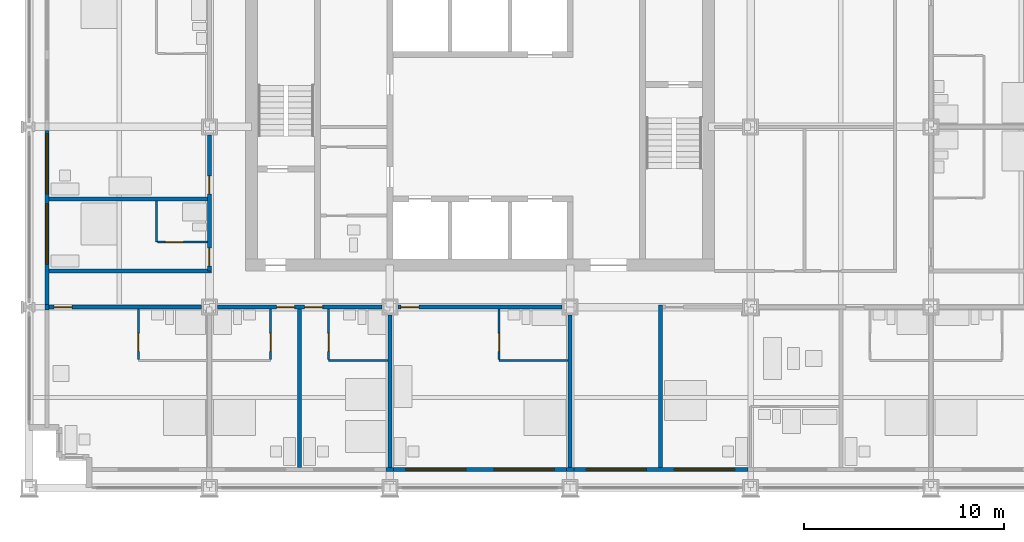
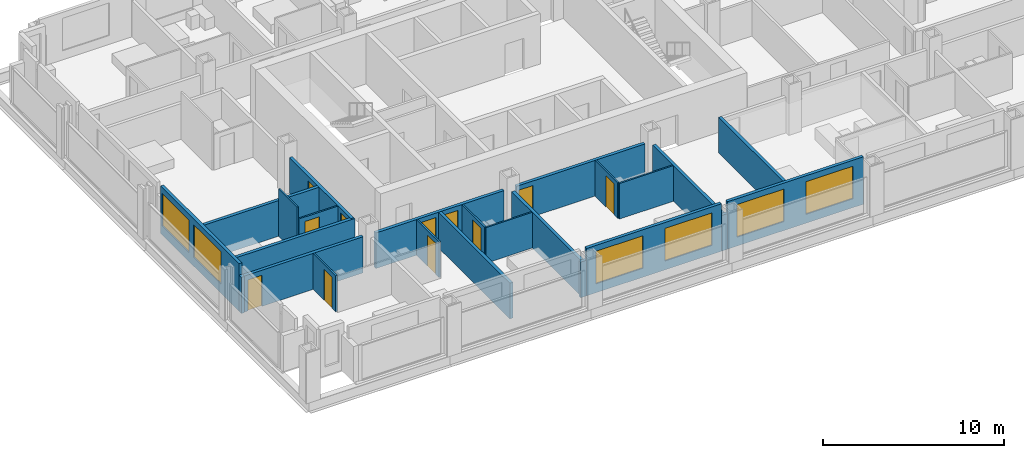
# One storey, part 10 of 18: 24 walls, 11 doors, 6 windows, 17 openings.
"""IFC4 building model written with IfcOpenShell, lengths in metres."""

from ifc_helpers import new_model, si_unit, direction, frame, frame_2d, origin, place, context, subcontext, project, spatial, rectangle, extrude, material, layer, layer_set, type_object, element, fill, save


model = new_model("IFC4")

# Units and contexts
model_context = context("Model", 3, precision=1e-05, world=origin(), true_north=direction((0.0, 1.0)))
body_context = subcontext(model_context, "Body", "Model", "MODEL_VIEW")
ifc_project = project(units=[si_unit("LENGTHUNIT", "METRE"), si_unit("AREAUNIT", "SQUARE_METRE"), si_unit("VOLUMEUNIT", "CUBIC_METRE"), si_unit("PLANEANGLEUNIT", "RADIAN"), si_unit("MASSUNIT", "GRAM", prefix="KILO")], contexts=[model_context])

# Site, building, storey
site_placement = place(None, origin())
site = spatial("IfcSite", under=ifc_project, at=site_placement, CompositionType="ELEMENT")
building_placement = place(site_placement, origin())
building = spatial("IfcBuilding", under=site, at=building_placement, Name="Loomwork Tower", CompositionType="ELEMENT")
storey_placement = place(building_placement, frame((0.0, 0.0, 34.800048828125)))
storey = spatial("IfcBuildingStorey", under=building, at=storey_placement, Name="L07", CompositionType="ELEMENT", Elevation=34.800048828125)

# Wall, opening, door
ifc_material_1 = material(Name="Gypsum board on steel studs, one-hour", Category="steel")
ifc_layer_1 = layer(ifc_material_1, 0.199951171875)
ifc_layer_set_1 = layer_set([ifc_layer_1], Name="Corridor wall 200")
wall_type_1 = type_object("IfcWallType", Name="Corridor wall 200", PredefinedType="PARTITIONING", material=ifc_layer_set_1)
wall_1_placement = place(storey_placement, frame((1.0, 9.0, 0.0), z_axis=(0.0, 0.0, 1.0), x_axis=(1.0, 0.0, 0.0)))
wall_1 = element("IfcWall", 1, at=wall_1_placement, inside=storey, type_object=wall_type_1, Name="South corridor wall 1", PredefinedType="PARTITIONING", context=body_context, shape_type="SweptSolid", body=[
    extrude(rectangle(XDim=7.60009765625, YDim=0.199951171875, at=frame_2d((3.800048828125, 0.0))), origin(), (0.0, 0.0, 1.0), 2.43798828125),
])
opening_1_placement = place(wall_1_placement, frame((0.25, 0.0, 0.0)))
opening_1 = element("IfcOpeningElement", 2, at=opening_1_placement, cuts=wall_1, Name="Opening D1", PredefinedType="OPENING", context=body_context, shape_type="SweptSolid", body=[
    extrude(rectangle(XDim=0.89990234375, YDim=2.10009765625, at=frame_2d((0.449951171875, 1.050048828125))), frame((0.0, 0.10986328125, 0.0), z_axis=(0.0, -1.0, 0.0), x_axis=(1.0, 0.0, 0.0)), (0.0, 0.0, 1.0), 0.219970703125),
])
ifc_material_2 = material(Name="Hollow metal door and frame")
door_type_1 = type_object("IfcDoorType", Name="Guest room entry door 900", OperationType="SINGLE_SWING_LEFT", PredefinedType="DOOR", material=ifc_material_2)
door_1_placement = place(opening_1_placement, frame((0.89990234375, 0.0, 0.0), z_axis=(0.0, 0.0, 1.0), x_axis=(-1.0, 0.0, 0.0)))
door_1 = element("IfcDoor", 3, at=door_1_placement, inside=storey, type_object=door_type_1, Name="Guest room entry door L07 1", OperationType="SINGLE_SWING_RIGHT", OverallHeight=2.10009765625, OverallWidth=0.89990234375, PredefinedType="DOOR", context=body_context, shape_type="SweptSolid", body=[
    extrude(rectangle(XDim=0.89990234375, YDim=2.10009765625, at=frame_2d((0.449951171875, 1.050048828125))), frame((0.0, 0.02490234375, 0.0), z_axis=(0.0, -1.0, 0.0), x_axis=(1.0, 0.0, 0.0)), (0.0, 0.0, 1.0), 0.050048828125),
])
fill(opening_1, door_1)

# Wall, openings, doors
wall_2_placement = place(storey_placement, frame((9.39990234375, 9.0, 0.0), z_axis=(0.0, 0.0, 1.0), x_axis=(1.0, 0.0, 0.0)))
wall_2 = element("IfcWall", 4, at=wall_2_placement, inside=storey, type_object=wall_type_1, Name="South corridor wall 2", PredefinedType="PARTITIONING", context=body_context, shape_type="SweptSolid", body=[
    extrude(rectangle(XDim=8.2001953125, YDim=0.199951171875, at=frame_2d((4.10009765625, 0.0))), origin(), (0.0, 0.0, 1.0), 2.405029296875),
])
opening_2_placement = place(wall_2_placement, frame((2.949951171875, 0.0, 0.0)))
opening_2 = element("IfcOpeningElement", 5, at=opening_2_placement, cuts=wall_2, Name="Opening D1", PredefinedType="OPENING", context=body_context, shape_type="SweptSolid", body=[
    extrude(rectangle(XDim=0.89990234375, YDim=2.10009765625, at=frame_2d((0.449951171875, 1.050048828125))), frame((0.0, 0.10986328125, 0.0), z_axis=(0.0, -1.0, 0.0), x_axis=(1.0, 0.0, 0.0)), (0.0, 0.0, 1.0), 0.219970703125),
])
opening_3_placement = place(wall_2_placement, frame((4.35009765625, 0.0, 0.0)))
opening_3 = element("IfcOpeningElement", 6, at=opening_3_placement, cuts=wall_2, Name="Opening D1", PredefinedType="OPENING", context=body_context, shape_type="SweptSolid", body=[
    extrude(rectangle(XDim=0.89990234375, YDim=2.10009765625, at=frame_2d((0.449951171875, 1.050048828125))), frame((0.0, 0.10986328125, 0.0), z_axis=(0.0, -1.0, 0.0), x_axis=(1.0, 0.0, 0.0)), (0.0, 0.0, 1.0), 0.219970703125),
])
door_2_placement = place(opening_2_placement, frame((0.89990234375, 0.0, 0.0), z_axis=(0.0, 0.0, 1.0), x_axis=(-1.0, 0.0, 0.0)))
door_2 = element("IfcDoor", 7, at=door_2_placement, inside=storey, type_object=door_type_1, Name="Guest room entry door L07 2", OperationType="SINGLE_SWING_LEFT", OverallHeight=2.10009765625, OverallWidth=0.89990234375, PredefinedType="DOOR", context=body_context, shape_type="SweptSolid", body=[
    extrude(rectangle(XDim=0.89990234375, YDim=2.10009765625, at=frame_2d((0.449951171875, 1.050048828125))), frame((0.0, 0.02490234375, 0.0), z_axis=(0.0, -1.0, 0.0), x_axis=(1.0, 0.0, 0.0)), (0.0, 0.0, 1.0), 0.050048828125),
])
fill(opening_2, door_2)
door_3_placement = place(opening_3_placement, frame((0.89990234375, 0.0, 0.0), z_axis=(0.0, 0.0, 1.0), x_axis=(-1.0, 0.0, 0.0)))
door_3 = element("IfcDoor", 8, at=door_3_placement, inside=storey, type_object=door_type_1, Name="Guest room entry door L07 3", OperationType="SINGLE_SWING_RIGHT", OverallHeight=2.10009765625, OverallWidth=0.89990234375, PredefinedType="DOOR", context=body_context, shape_type="SweptSolid", body=[
    extrude(rectangle(XDim=0.89990234375, YDim=2.10009765625, at=frame_2d((0.449951171875, 1.050048828125))), frame((0.0, 0.02490234375, 0.0), z_axis=(0.0, -1.0, 0.0), x_axis=(1.0, 0.0, 0.0)), (0.0, 0.0, 1.0), 0.050048828125),
])
fill(opening_3, door_3)

# Wall, opening, door
wall_3_placement = place(storey_placement, frame((18.39990234375, 9.0, 0.0), z_axis=(0.0, 0.0, 1.0), x_axis=(1.0, 0.0, 0.0)))
wall_3 = element("IfcWall", 9, at=wall_3_placement, inside=storey, type_object=wall_type_1, Name="South corridor wall 3", PredefinedType="PARTITIONING", context=body_context, shape_type="SweptSolid", body=[
    extrude(rectangle(XDim=8.2001953125, YDim=0.199951171875, at=frame_2d((4.10009765625, 0.0))), origin(), (0.0, 0.0, 1.0), 2.405029296875),
])
opening_4_placement = place(wall_3_placement, frame((0.14990234375, 0.0, 0.0)))
opening_4 = element("IfcOpeningElement", 10, at=opening_4_placement, cuts=wall_3, Name="Opening D1", PredefinedType="OPENING", context=body_context, shape_type="SweptSolid", body=[
    extrude(rectangle(XDim=0.89990234375, YDim=2.10009765625, at=frame_2d((0.449951171875, 1.050048828125))), frame((0.0, 0.10986328125, 0.0), z_axis=(0.0, -1.0, 0.0), x_axis=(1.0, 0.0, 0.0)), (0.0, 0.0, 1.0), 0.219970703125),
])
door_4_placement = place(opening_4_placement, frame((0.89990234375, 0.0, 0.0), z_axis=(0.0, 0.0, 1.0), x_axis=(-1.0, 0.0, 0.0)))
door_4 = element("IfcDoor", 11, at=door_4_placement, inside=storey, type_object=door_type_1, Name="Guest room entry door L07 4", OperationType="SINGLE_SWING_RIGHT", OverallHeight=2.10009765625, OverallWidth=0.89990234375, PredefinedType="DOOR", context=body_context, shape_type="SweptSolid", body=[
    extrude(rectangle(XDim=0.89990234375, YDim=2.10009765625, at=frame_2d((0.449951171875, 1.050048828125))), frame((0.0, 0.02490234375, 0.0), z_axis=(0.0, -1.0, 0.0), x_axis=(1.0, 0.0, 0.0)), (0.0, 0.0, 1.0), 0.050048828125),
])
fill(opening_4, door_4)

# Wall, openings, doors
wall_4_placement = place(storey_placement, frame((9.0, 10.800048828125, 0.0), z_axis=(0.0, 0.0, 1.0), x_axis=(0.0, 1.0, 0.0)))
wall_4 = element("IfcWall", 12, at=wall_4_placement, inside=storey, type_object=wall_type_1, Name="West corridor wall 1", PredefinedType="PARTITIONING", context=body_context, shape_type="SweptSolid", body=[
    extrude(rectangle(XDim=6.800048828125, YDim=0.199951171875, at=frame_2d((3.39990234375, 0.0))), origin(), (0.0, 0.0, 1.0), 2.405029296875),
])
opening_5_placement = place(wall_4_placement, frame((0.25, 0.0, 0.0)))
opening_5 = element("IfcOpeningElement", 13, at=opening_5_placement, cuts=wall_4, Name="Opening D1", PredefinedType="OPENING", context=body_context, shape_type="SweptSolid", body=[
    extrude(rectangle(XDim=0.89990234375, YDim=2.10009765625, at=frame_2d((0.449951171875, 1.050048828125))), frame((0.0, 0.10986328125, 0.0), z_axis=(0.0, -1.0, 0.0), x_axis=(1.0, 0.0, 0.0)), (0.0, 0.0, 1.0), 0.219970703125),
])
opening_6_placement = place(wall_4_placement, frame((3.85009765625, 0.0, 0.0)))
opening_6 = element("IfcOpeningElement", 14, at=opening_6_placement, cuts=wall_4, Name="Opening D1", PredefinedType="OPENING", context=body_context, shape_type="SweptSolid", body=[
    extrude(rectangle(XDim=0.89990234375, YDim=2.10009765625, at=frame_2d((0.449951171875, 1.050048828125))), frame((0.0, 0.10986328125, 0.0), z_axis=(0.0, -1.0, 0.0), x_axis=(1.0, 0.0, 0.0)), (0.0, 0.0, 1.0), 0.219970703125),
])
door_5_placement = place(opening_5_placement, origin())
door_5 = element("IfcDoor", 15, at=door_5_placement, inside=storey, type_object=door_type_1, Name="Guest room entry door L07 16", OperationType="SINGLE_SWING_LEFT", OverallHeight=2.10009765625, OverallWidth=0.89990234375, PredefinedType="DOOR", context=body_context, shape_type="SweptSolid", body=[
    extrude(rectangle(XDim=0.89990234375, YDim=2.10009765625, at=frame_2d((0.449951171875, 1.050048828125))), frame((0.0, 0.02490234375, 0.0), z_axis=(0.0, -1.0, 0.0), x_axis=(1.0, 0.0, 0.0)), (0.0, 0.0, 1.0), 0.050048828125),
])
fill(opening_5, door_5)
door_6_placement = place(opening_6_placement, origin())
door_6 = element("IfcDoor", 16, at=door_6_placement, inside=storey, type_object=door_type_1, Name="Guest room entry door L07 17", OperationType="SINGLE_SWING_LEFT", OverallHeight=2.10009765625, OverallWidth=0.89990234375, PredefinedType="DOOR", context=body_context, shape_type="SweptSolid", body=[
    extrude(rectangle(XDim=0.89990234375, YDim=2.10009765625, at=frame_2d((0.449951171875, 1.050048828125))), frame((0.0, 0.02490234375, 0.0), z_axis=(0.0, -1.0, 0.0), x_axis=(1.0, 0.0, 0.0)), (0.0, 0.0, 1.0), 0.050048828125),
])
fill(opening_6, door_6)

# Wall
wall_5_placement = place(storey_placement, frame((1.0, 10.800048828125, 0.0), z_axis=(0.0, 0.0, 1.0), x_axis=(1.0, 0.0, 0.0)))
element("IfcWall", 17, at=wall_5_placement, inside=storey, type_object=wall_type_1, Name="West band end wall S", PredefinedType="PARTITIONING", context=body_context, shape_type="SweptSolid", body=[
    extrude(rectangle(XDim=8.10009765625, YDim=0.199951171875, at=frame_2d((4.050048828125, 0.0))), origin(), (0.0, 0.0, 1.0), 2.404052734375),
])

# Wall, opening, door
ifc_material_3 = material(Name="Cement board on steel studs", Category="steel")
ifc_layer_2 = layer(ifc_material_3, 0.10009765625)
ifc_layer_set_2 = layer_set([ifc_layer_2], Name="En-suite partition 100")
wall_type_2 = type_object("IfcWallType", Name="En-suite partition 100", PredefinedType="PARTITIONING", material=ifc_layer_set_2)
wall_6_placement = place(storey_placement, frame((5.449951171875, 8.89990234375, 0.0), z_axis=(0.0, 0.0, 1.0), x_axis=(0.0, -1.0, 0.0)))
wall_6 = element("IfcWall", 18, at=wall_6_placement, inside=storey, type_object=wall_type_2, Name="En-suite side wall L07 room 1", PredefinedType="PARTITIONING", context=body_context, shape_type="SweptSolid", body=[
    extrude(rectangle(XDim=2.5, YDim=0.10009765625, at=frame_2d((1.25, 0.0))), origin(), (0.0, 0.0, 1.0), 2.43798828125),
])
opening_7_placement = place(wall_6_placement, frame((1.199951171875, 0.0, 0.0)))
opening_7 = element("IfcOpeningElement", 19, at=opening_7_placement, cuts=wall_6, Name="Opening D3", PredefinedType="OPENING", context=body_context, shape_type="SweptSolid", body=[
    extrude(rectangle(XDim=0.89990234375, YDim=2.10009765625, at=frame_2d((0.449951171875, 1.050048828125))), frame((0.0, 0.06005859375, 0.0), z_axis=(0.0, -1.0, 0.0), x_axis=(1.0, 0.0, 0.0)), (0.0, 0.0, 1.0), 0.1201171875),
])
ifc_material_4 = material(Name="Hollow metal door and frame")
door_type_2 = type_object("IfcDoorType", Name="Accessible en-suite door 900", OperationType="SLIDING_TO_LEFT", PredefinedType="DOOR", material=ifc_material_4)
door_7_placement = place(opening_7_placement, origin())
door_7 = element("IfcDoor", 20, at=door_7_placement, inside=storey, type_object=door_type_2, Name="Accessible en-suite door room 1", OperationType="SLIDING_TO_LEFT", OverallHeight=2.10009765625, OverallWidth=0.89990234375, PredefinedType="DOOR", context=body_context, shape_type="SweptSolid", body=[
    extrude(rectangle(XDim=0.89990234375, YDim=2.10009765625, at=frame_2d((0.449951171875, 1.050048828125))), frame((0.0, 0.02490234375, 0.0), z_axis=(0.0, -1.0, 0.0), x_axis=(1.0, 0.0, 0.0)), (0.0, 0.0, 1.0), 0.050048828125),
])
fill(opening_7, door_7)

wall_7_placement = place(storey_placement, frame((12.050048828125, 8.89990234375, 0.0), z_axis=(0.0, 0.0, 1.0), x_axis=(0.0, -1.0, 0.0)))
wall_7 = element("IfcWall", 21, at=wall_7_placement, inside=storey, type_object=wall_type_2, Name="En-suite side wall L07 room 2", PredefinedType="PARTITIONING", context=body_context, shape_type="SweptSolid", body=[
    extrude(rectangle(XDim=2.5, YDim=0.10009765625, at=frame_2d((1.25, 0.0))), origin(), (0.0, 0.0, 1.0), 2.404052734375),
])
opening_8_placement = place(wall_7_placement, frame((1.199951171875, 0.0, 0.0)))
opening_8 = element("IfcOpeningElement", 22, at=opening_8_placement, cuts=wall_7, Name="Opening D2", PredefinedType="OPENING", context=body_context, shape_type="SweptSolid", body=[
    extrude(rectangle(XDim=0.89990234375, YDim=2.10009765625, at=frame_2d((0.449951171875, 1.050048828125))), frame((0.0, 0.06005859375, 0.0), z_axis=(0.0, -1.0, 0.0), x_axis=(1.0, 0.0, 0.0)), (0.0, 0.0, 1.0), 0.1201171875),
])
ifc_material_5 = material(Name="Hollow metal door and frame")
door_type_3 = type_object("IfcDoorType", Name="En-suite door 900", OperationType="SINGLE_SWING_LEFT", PredefinedType="DOOR", material=ifc_material_5)
door_8_placement = place(opening_8_placement, frame((0.89990234375, 0.0, 0.0), z_axis=(0.0, 0.0, 1.0), x_axis=(-1.0, 0.0, 0.0)))
door_8 = element("IfcDoor", 23, at=door_8_placement, inside=storey, type_object=door_type_3, Name="En-suite door room 2", OperationType="SINGLE_SWING_LEFT", OverallHeight=2.10009765625, OverallWidth=0.89990234375, PredefinedType="DOOR", context=body_context, shape_type="SweptSolid", body=[
    extrude(rectangle(XDim=0.89990234375, YDim=2.10009765625, at=frame_2d((0.449951171875, 1.050048828125))), frame((0.0, 0.02490234375, 0.0), z_axis=(0.0, -1.0, 0.0), x_axis=(1.0, 0.0, 0.0)), (0.0, 0.0, 1.0), 0.050048828125),
])
fill(opening_8, door_8)

# Wall
wall_8_placement = place(storey_placement, frame((14.949951171875, 6.35009765625, 0.0), z_axis=(0.0, 0.0, 1.0), x_axis=(1.0, 0.0, 0.0)))
element("IfcWall", 24, at=wall_8_placement, inside=storey, type_object=wall_type_2, Name="En-suite wall L07 room 3", PredefinedType="PARTITIONING", context=body_context, shape_type="SweptSolid", body=[
    extrude(rectangle(XDim=2.949951171875, YDim=0.10009765625, at=frame_2d((1.47509765625, 0.0))), origin(), (0.0, 0.0, 1.0), 2.404052734375),
])

# Wall, opening, door
wall_9_placement = place(storey_placement, frame((14.949951171875, 8.89990234375, 0.0), z_axis=(0.0, 0.0, 1.0), x_axis=(0.0, -1.0, 0.0)))
wall_9 = element("IfcWall", 25, at=wall_9_placement, inside=storey, type_object=wall_type_2, Name="En-suite side wall L07 room 3", PredefinedType="PARTITIONING", context=body_context, shape_type="SweptSolid", body=[
    extrude(rectangle(XDim=2.5, YDim=0.10009765625, at=frame_2d((1.25, 0.0))), origin(), (0.0, 0.0, 1.0), 2.404052734375),
])
opening_9_placement = place(wall_9_placement, frame((1.199951171875, 0.0, 0.0)))
opening_9 = element("IfcOpeningElement", 26, at=opening_9_placement, cuts=wall_9, Name="Opening D2", PredefinedType="OPENING", context=body_context, shape_type="SweptSolid", body=[
    extrude(rectangle(XDim=0.89990234375, YDim=2.10009765625, at=frame_2d((0.449951171875, 1.050048828125))), frame((0.0, 0.06005859375, 0.0), z_axis=(0.0, -1.0, 0.0), x_axis=(1.0, 0.0, 0.0)), (0.0, 0.0, 1.0), 0.1201171875),
])
door_9_placement = place(opening_9_placement, origin())
door_9 = element("IfcDoor", 27, at=door_9_placement, inside=storey, type_object=door_type_3, Name="En-suite door room 3", OperationType="SINGLE_SWING_RIGHT", OverallHeight=2.10009765625, OverallWidth=0.89990234375, PredefinedType="DOOR", context=body_context, shape_type="SweptSolid", body=[
    extrude(rectangle(XDim=0.89990234375, YDim=2.10009765625, at=frame_2d((0.449951171875, 1.050048828125))), frame((0.0, 0.02490234375, 0.0), z_axis=(0.0, -1.0, 0.0), x_axis=(1.0, 0.0, 0.0)), (0.0, 0.0, 1.0), 0.050048828125),
])
fill(opening_9, door_9)

# Wall
wall_10_placement = place(storey_placement, frame((23.449951171875, 6.35009765625, 0.0), z_axis=(0.0, 0.0, 1.0), x_axis=(1.0, 0.0, 0.0)))
element("IfcWall", 28, at=wall_10_placement, inside=storey, type_object=wall_type_2, Name="En-suite wall L07 room 4", PredefinedType="PARTITIONING", context=body_context, shape_type="SweptSolid", body=[
    extrude(rectangle(XDim=3.449951171875, YDim=0.10009765625, at=frame_2d((1.72509765625, 0.0))), origin(), (0.0, 0.0, 1.0), 2.404052734375),
])

# Wall, opening, door
wall_11_placement = place(storey_placement, frame((23.449951171875, 8.89990234375, 0.0), z_axis=(0.0, 0.0, 1.0), x_axis=(0.0, -1.0, 0.0)))
wall_11 = element("IfcWall", 29, at=wall_11_placement, inside=storey, type_object=wall_type_2, Name="En-suite side wall L07 room 4", PredefinedType="PARTITIONING", context=body_context, shape_type="SweptSolid", body=[
    extrude(rectangle(XDim=2.5, YDim=0.10009765625, at=frame_2d((1.25, 0.0))), origin(), (0.0, 0.0, 1.0), 2.404052734375),
])
opening_10_placement = place(wall_11_placement, frame((1.199951171875, 0.0, 0.0)))
opening_10 = element("IfcOpeningElement", 30, at=opening_10_placement, cuts=wall_11, Name="Opening D2", PredefinedType="OPENING", context=body_context, shape_type="SweptSolid", body=[
    extrude(rectangle(XDim=0.89990234375, YDim=2.10009765625, at=frame_2d((0.449951171875, 1.050048828125))), frame((0.0, 0.06005859375, 0.0), z_axis=(0.0, -1.0, 0.0), x_axis=(1.0, 0.0, 0.0)), (0.0, 0.0, 1.0), 0.1201171875),
])
door_10_placement = place(opening_10_placement, origin())
door_10 = element("IfcDoor", 31, at=door_10_placement, inside=storey, type_object=door_type_3, Name="En-suite door room 4", OperationType="SINGLE_SWING_RIGHT", OverallHeight=2.10009765625, OverallWidth=0.89990234375, PredefinedType="DOOR", context=body_context, shape_type="SweptSolid", body=[
    extrude(rectangle(XDim=0.89990234375, YDim=2.10009765625, at=frame_2d((0.449951171875, 1.050048828125))), frame((0.0, 0.02490234375, 0.0), z_axis=(0.0, -1.0, 0.0), x_axis=(1.0, 0.0, 0.0)), (0.0, 0.0, 1.0), 0.050048828125),
])
fill(opening_10, door_10)

# Wall
wall_12_placement = place(storey_placement, frame((6.35009765625, 12.25, 0.0), z_axis=(0.0, 0.0, 1.0), x_axis=(0.0, 1.0, 0.0)))
element("IfcWall", 32, at=wall_12_placement, inside=storey, type_object=wall_type_2, Name="En-suite wall L07 room 16", PredefinedType="PARTITIONING", context=body_context, shape_type="SweptSolid", body=[
    extrude(rectangle(XDim=2.050048828125, YDim=0.10009765625, at=frame_2d((1.02490234375, 0.0))), origin(), (0.0, 0.0, 1.0), 3.199951171875),
])

# Wall, opening, door
wall_13_placement = place(storey_placement, frame((8.89990234375, 12.25, 0.0), z_axis=(0.0, 0.0, 1.0), x_axis=(-1.0, 0.0, 0.0)))
wall_13 = element("IfcWall", 33, at=wall_13_placement, inside=storey, type_object=wall_type_2, Name="En-suite side wall L07 room 16", PredefinedType="PARTITIONING", context=body_context, shape_type="SweptSolid", body=[
    extrude(rectangle(XDim=2.5, YDim=0.10009765625, at=frame_2d((1.25, 0.0))), origin(), (0.0, 0.0, 1.0), 2.404052734375),
])
opening_11_placement = place(wall_13_placement, frame((1.199951171875, 0.0, 0.0)))
opening_11 = element("IfcOpeningElement", 34, at=opening_11_placement, cuts=wall_13, Name="Opening D2", PredefinedType="OPENING", context=body_context, shape_type="SweptSolid", body=[
    extrude(rectangle(XDim=0.89990234375, YDim=2.10009765625, at=frame_2d((0.449951171875, 1.050048828125))), frame((0.0, 0.06005859375, 0.0), z_axis=(0.0, -1.0, 0.0), x_axis=(1.0, 0.0, 0.0)), (0.0, 0.0, 1.0), 0.1201171875),
])
door_11_placement = place(opening_11_placement, frame((0.89990234375, 0.0, 0.0), z_axis=(0.0, 0.0, 1.0), x_axis=(-1.0, 0.0, 0.0)))
door_11 = element("IfcDoor", 35, at=door_11_placement, inside=storey, type_object=door_type_3, Name="En-suite door room 16", OperationType="SINGLE_SWING_LEFT", OverallHeight=2.10009765625, OverallWidth=0.89990234375, PredefinedType="DOOR", context=body_context, shape_type="SweptSolid", body=[
    extrude(rectangle(XDim=0.89990234375, YDim=2.10009765625, at=frame_2d((0.449951171875, 1.050048828125))), frame((0.0, 0.02490234375, 0.0), z_axis=(0.0, -1.0, 0.0), x_axis=(1.0, 0.0, 0.0)), (0.0, 0.0, 1.0), 0.050048828125),
])
fill(opening_11, door_11)

# Walls
ifc_material_6 = material(Name="Gypsum board on steel studs, acoustic", Category="steel")
ifc_layer_3 = layer(ifc_material_6, 0.199951171875)
ifc_layer_set_3 = layer_set([ifc_layer_3], Name="Guest room party wall 200")
wall_type_3 = type_object("IfcWallType", Name="Guest room party wall 200", PredefinedType="PARTITIONING", material=ifc_layer_set_3)
wall_14_placement = place(storey_placement, frame((13.5, 8.89990234375, 0.0), z_axis=(0.0, 0.0, 1.0), x_axis=(0.0, -1.0, 0.0)))
element("IfcWall", 36, at=wall_14_placement, inside=storey, type_object=wall_type_3, Name="Guest room party wall S 13.5", PredefinedType="PARTITIONING", context=body_context, shape_type="SweptSolid", body=[
    extrude(rectangle(XDim=7.89990234375, YDim=0.199951171875, at=frame_2d((3.949951171875, 0.0))), origin(), (0.0, 0.0, 1.0), 2.404052734375),
])
for number, where, z_axis, x_axis, name in (
    (37, (18.0, 8.60009765625, 0.0), (0.0, 0.0, 1.0), (0.0, -1.0, 0.0), "Guest room party wall S 18"),
    (38, (27.0, 8.60009765625, 0.0), (0.0, 0.0, 1.0), (0.0, -1.0, 0.0), "Guest room party wall S 27"),
):
    element("IfcWall", number, at=place(storey_placement, frame(where, z_axis=z_axis, x_axis=x_axis)), inside=storey, type_object=wall_type_3, Name=name, PredefinedType="PARTITIONING", context=body_context, shape_type="SweptSolid", body=[
        extrude(rectangle(XDim=7.60009765625, YDim=0.199951171875, at=frame_2d((3.800048828125, 0.0))), origin(), (0.0, 0.0, 1.0), 2.405029296875),
    ])
wall_15_placement = place(storey_placement, frame((31.5, 9.10009765625, 0.0), z_axis=(0.0, 0.0, 1.0), x_axis=(0.0, -1.0, 0.0)))
element("IfcWall", 39, at=wall_15_placement, inside=storey, type_object=wall_type_3, Name="Guest room party wall S 31.5", PredefinedType="PARTITIONING", context=body_context, shape_type="SweptSolid", body=[
    extrude(rectangle(XDim=8.10009765625, YDim=0.199951171875, at=frame_2d((4.050048828125, 0.0))), origin(), (0.0, 0.0, 1.0), 2.404052734375),
])
wall_16_placement = place(storey_placement, frame((8.89990234375, 14.39990234375, 0.0), z_axis=(0.0, 0.0, 1.0), x_axis=(-1.0, 0.0, 0.0)))
element("IfcWall", 40, at=wall_16_placement, inside=storey, type_object=wall_type_3, Name="Guest room party wall W 14.4", PredefinedType="PARTITIONING", context=body_context, shape_type="SweptSolid", body=[
    extrude(rectangle(XDim=7.89990234375, YDim=0.199951171875, at=frame_2d((3.949951171875, 0.0))), origin(), (0.0, 0.0, 1.0), 2.404052734375),
])
ifc_material_7 = material(Name="Insulated steel stud wall with gypsum lining", Category="steel")
ifc_layer_4 = layer(ifc_material_7, 0.199951171875)
ifc_layer_set_4 = layer_set([ifc_layer_4], Name="Inner skin wall 200")
wall_type_4 = type_object("IfcWallType", Name="Inner skin wall 200", PredefinedType="SOLIDWALL", material=ifc_layer_set_4)
wall_17_placement = place(storey_placement, frame((17.80615234375, 0.89990234375, 0.0), z_axis=(0.0, 0.0, 1.0), x_axis=(1.0, 0.0, 0.0)))
element("IfcWall", 41, at=wall_17_placement, inside=storey, type_object=wall_type_4, Name="Inner skin wall S bay 4", PredefinedType="SOLIDWALL", context=body_context, shape_type="SweptSolid", body=[
    extrude(rectangle(XDim=0.3876953125, YDim=0.199951171875, at=frame_2d((0.19384765625, 0.0))), origin(), (0.0, 0.0, 1.0), 2.404052734375),
])

# Wall, openings, windows
wall_18_placement = place(storey_placement, frame((18.19384765625, 0.89990234375, 0.0), z_axis=(0.0, 0.0, 1.0), x_axis=(1.0, 0.0, 0.0)))
wall_18 = element("IfcWall", 42, at=wall_18_placement, inside=storey, type_object=wall_type_4, Name="Inner skin wall S bay 5", PredefinedType="SOLIDWALL", context=body_context, shape_type="SweptSolid", body=[
    extrude(rectangle(XDim=8.6123046875, YDim=0.199951171875, at=frame_2d((4.30615234375, 0.0))), origin(), (0.0, 0.0, 1.0), 3.199951171875),
])
opening_12_placement = place(wall_18_placement, frame((0.606201171875, 0.0, 0.60009765625)))
opening_12 = element("IfcOpeningElement", 43, at=opening_12_placement, cuts=wall_18, Name="Opening CH1", PredefinedType="OPENING", context=body_context, shape_type="SweptSolid", body=[
    extrude(rectangle(XDim=3.0, YDim=2.199951171875, at=frame_2d((1.5, 1.10009765625))), frame((0.0, 0.10986328125, 0.0), z_axis=(0.0, -1.0, 0.0), x_axis=(1.0, 0.0, 0.0)), (0.0, 0.0, 1.0), 0.219970703125),
])
opening_13_placement = place(wall_18_placement, frame((5.006103515625, 0.0, 0.60009765625)))
opening_13 = element("IfcOpeningElement", 44, at=opening_13_placement, cuts=wall_18, Name="Opening CH1", PredefinedType="OPENING", context=body_context, shape_type="SweptSolid", body=[
    extrude(rectangle(XDim=3.0, YDim=2.199951171875, at=frame_2d((1.5, 1.10009765625))), frame((0.0, 0.10986328125, 0.0), z_axis=(0.0, -1.0, 0.0), x_axis=(1.0, 0.0, 0.0)), (0.0, 0.0, 1.0), 0.219970703125),
])
ifc_material_8 = material(Name="Aluminium frame with clear insulated glass", Category="aluminium")
window_type = type_object("IfcWindowType", Name="Chicago window 3000", PartitioningType="TRIPLE_PANEL_VERTICAL", PredefinedType="WINDOW", material=ifc_material_8)
window_1_placement = place(opening_12_placement, origin())
window_1 = element("IfcWindow", 45, at=window_1_placement, inside=storey, type_object=window_type, Name="Chicago window L07 bay 3", OverallHeight=2.199951171875, OverallWidth=3.0, PartitioningType="TRIPLE_PANEL_VERTICAL", PredefinedType="WINDOW", context=body_context, shape_type="SweptSolid", body=[
    extrude(rectangle(XDim=3.0, YDim=2.199951171875, at=frame_2d((1.5, 1.10009765625))), frame((0.0, 0.030029296875, 0.0), z_axis=(0.0, -1.0, 0.0), x_axis=(1.0, 0.0, 0.0)), (0.0, 0.0, 1.0), 0.06005859375),
])
fill(opening_12, window_1)
window_2_placement = place(opening_13_placement, origin())
window_2 = element("IfcWindow", 46, at=window_2_placement, inside=storey, type_object=window_type, Name="Chicago window L07 bay 3", OverallHeight=2.199951171875, OverallWidth=3.0, PartitioningType="TRIPLE_PANEL_VERTICAL", PredefinedType="WINDOW", context=body_context, shape_type="SweptSolid", body=[
    extrude(rectangle(XDim=3.0, YDim=2.199951171875, at=frame_2d((1.5, 1.10009765625))), frame((0.0, 0.030029296875, 0.0), z_axis=(0.0, -1.0, 0.0), x_axis=(1.0, 0.0, 0.0)), (0.0, 0.0, 1.0), 0.06005859375),
])
fill(opening_13, window_2)

# Wall
wall_19_placement = place(storey_placement, frame((26.80615234375, 0.89990234375, 0.0), z_axis=(0.0, 0.0, 1.0), x_axis=(1.0, 0.0, 0.0)))
element("IfcWall", 47, at=wall_19_placement, inside=storey, type_object=wall_type_4, Name="Inner skin wall S bay 6", PredefinedType="SOLIDWALL", context=body_context, shape_type="SweptSolid", body=[
    extrude(rectangle(XDim=0.3876953125, YDim=0.199951171875, at=frame_2d((0.19384765625, 0.0))), origin(), (0.0, 0.0, 1.0), 2.404052734375),
])

# Wall, openings, windows
wall_20_placement = place(storey_placement, frame((27.19384765625, 0.89990234375, 0.0), z_axis=(0.0, 0.0, 1.0), x_axis=(1.0, 0.0, 0.0)))
wall_20 = element("IfcWall", 48, at=wall_20_placement, inside=storey, type_object=wall_type_4, Name="Inner skin wall S bay 7", PredefinedType="SOLIDWALL", context=body_context, shape_type="SweptSolid", body=[
    extrude(rectangle(XDim=8.670654296875, YDim=0.199951171875, at=frame_2d((4.33544921875, 0.0))), origin(), (0.0, 0.0, 1.0), 3.199951171875),
])
opening_14_placement = place(wall_20_placement, frame((0.606201171875, 0.0, 0.60009765625)))
opening_14 = element("IfcOpeningElement", 49, at=opening_14_placement, cuts=wall_20, Name="Opening CH1", PredefinedType="OPENING", context=body_context, shape_type="SweptSolid", body=[
    extrude(rectangle(XDim=3.0, YDim=2.199951171875, at=frame_2d((1.5, 1.10009765625))), frame((0.0, 0.10986328125, 0.0), z_axis=(0.0, -1.0, 0.0), x_axis=(1.0, 0.0, 0.0)), (0.0, 0.0, 1.0), 0.219970703125),
])
opening_15_placement = place(wall_20_placement, frame((5.006103515625, 0.0, 0.60009765625)))
opening_15 = element("IfcOpeningElement", 50, at=opening_15_placement, cuts=wall_20, Name="Opening CH1", PredefinedType="OPENING", context=body_context, shape_type="SweptSolid", body=[
    extrude(rectangle(XDim=3.0, YDim=2.199951171875, at=frame_2d((1.5, 1.10009765625))), frame((0.0, 0.10986328125, 0.0), z_axis=(0.0, -1.0, 0.0), x_axis=(1.0, 0.0, 0.0)), (0.0, 0.0, 1.0), 0.219970703125),
])
window_3_placement = place(opening_14_placement, origin())
window_3 = element("IfcWindow", 51, at=window_3_placement, inside=storey, type_object=window_type, Name="Chicago window L07 bay 4", OverallHeight=2.199951171875, OverallWidth=3.0, PartitioningType="TRIPLE_PANEL_VERTICAL", PredefinedType="WINDOW", context=body_context, shape_type="SweptSolid", body=[
    extrude(rectangle(XDim=3.0, YDim=2.199951171875, at=frame_2d((1.5, 1.10009765625))), frame((0.0, 0.030029296875, 0.0), z_axis=(0.0, -1.0, 0.0), x_axis=(1.0, 0.0, 0.0)), (0.0, 0.0, 1.0), 0.06005859375),
])
fill(opening_14, window_3)
window_4_placement = place(opening_15_placement, origin())
window_4 = element("IfcWindow", 52, at=window_4_placement, inside=storey, type_object=window_type, Name="Chicago window L07 bay 4", OverallHeight=2.199951171875, OverallWidth=3.0, PartitioningType="TRIPLE_PANEL_VERTICAL", PredefinedType="WINDOW", context=body_context, shape_type="SweptSolid", body=[
    extrude(rectangle(XDim=3.0, YDim=2.199951171875, at=frame_2d((1.5, 1.10009765625))), frame((0.0, 0.030029296875, 0.0), z_axis=(0.0, -1.0, 0.0), x_axis=(1.0, 0.0, 0.0)), (0.0, 0.0, 1.0), 0.06005859375),
])
fill(opening_15, window_4)

# Wall
wall_21_placement = place(storey_placement, frame((0.89990234375, 8.86474609375, 0.0), z_axis=(0.0, 0.0, 1.0), x_axis=(0.0, 1.0, 0.0)))
element("IfcWall", 53, at=wall_21_placement, inside=storey, type_object=wall_type_4, Name="Inner skin wall W bay 4", PredefinedType="SOLIDWALL", context=body_context, shape_type="SweptSolid", body=[
    extrude(rectangle(XDim=0.2705078125, YDim=0.199951171875, at=frame_2d((0.13525390625, 0.0))), origin(), (0.0, 0.0, 1.0), 2.43798828125),
])

# Wall, openings, windows
wall_22_placement = place(storey_placement, frame((0.89990234375, 9.13525390625, 0.0), z_axis=(0.0, 0.0, 1.0), x_axis=(0.0, 1.0, 0.0)))
wall_22 = element("IfcWall", 54, at=wall_22_placement, inside=storey, type_object=wall_type_4, Name="Inner skin wall W bay 5", PredefinedType="SOLIDWALL", context=body_context, shape_type="SweptSolid", body=[
    extrude(rectangle(XDim=8.6708984375, YDim=0.199951171875, at=frame_2d((4.33544921875, 0.0))), origin(), (0.0, 0.0, 1.0), 3.199951171875),
])
opening_16_placement = place(wall_22_placement, frame((2.0146484375, 0.0, 0.60009765625)))
opening_16 = element("IfcOpeningElement", 55, at=opening_16_placement, cuts=wall_22, Name="Opening CH1", PredefinedType="OPENING", context=body_context, shape_type="SweptSolid", body=[
    extrude(rectangle(XDim=3.0, YDim=2.199951171875, at=frame_2d((1.5, 1.10009765625))), frame((0.0, 0.10986328125, 0.0), z_axis=(0.0, -1.0, 0.0), x_axis=(1.0, 0.0, 0.0)), (0.0, 0.0, 1.0), 0.219970703125),
])
opening_17_placement = place(wall_22_placement, frame((5.5146484375, 0.0, 0.60009765625)))
opening_17 = element("IfcOpeningElement", 56, at=opening_17_placement, cuts=wall_22, Name="Opening CH1", PredefinedType="OPENING", context=body_context, shape_type="SweptSolid", body=[
    extrude(rectangle(XDim=3.0, YDim=2.199951171875, at=frame_2d((1.5, 1.10009765625))), frame((0.0, 0.10986328125, 0.0), z_axis=(0.0, -1.0, 0.0), x_axis=(1.0, 0.0, 0.0)), (0.0, 0.0, 1.0), 0.219970703125),
])
window_5_placement = place(opening_16_placement, origin())
window_5 = element("IfcWindow", 57, at=window_5_placement, inside=storey, type_object=window_type, Name="Chicago window L07 bay 13", OverallHeight=2.199951171875, OverallWidth=3.0, PartitioningType="TRIPLE_PANEL_VERTICAL", PredefinedType="WINDOW", context=body_context, shape_type="SweptSolid", body=[
    extrude(rectangle(XDim=3.0, YDim=2.199951171875, at=frame_2d((1.5, 1.10009765625))), frame((0.0, 0.030029296875, 0.0), z_axis=(0.0, -1.0, 0.0), x_axis=(1.0, 0.0, 0.0)), (0.0, 0.0, 1.0), 0.06005859375),
])
fill(opening_16, window_5)
window_6_placement = place(opening_17_placement, origin())
window_6 = element("IfcWindow", 58, at=window_6_placement, inside=storey, type_object=window_type, Name="Chicago window L07 bay 13", OverallHeight=2.199951171875, OverallWidth=3.0, PartitioningType="TRIPLE_PANEL_VERTICAL", PredefinedType="WINDOW", context=body_context, shape_type="SweptSolid", body=[
    extrude(rectangle(XDim=3.0, YDim=2.199951171875, at=frame_2d((1.5, 1.10009765625))), frame((0.0, 0.030029296875, 0.0), z_axis=(0.0, -1.0, 0.0), x_axis=(1.0, 0.0, 0.0)), (0.0, 0.0, 1.0), 0.06005859375),
])
fill(opening_17, window_6)

save(model, "model.ifc")
